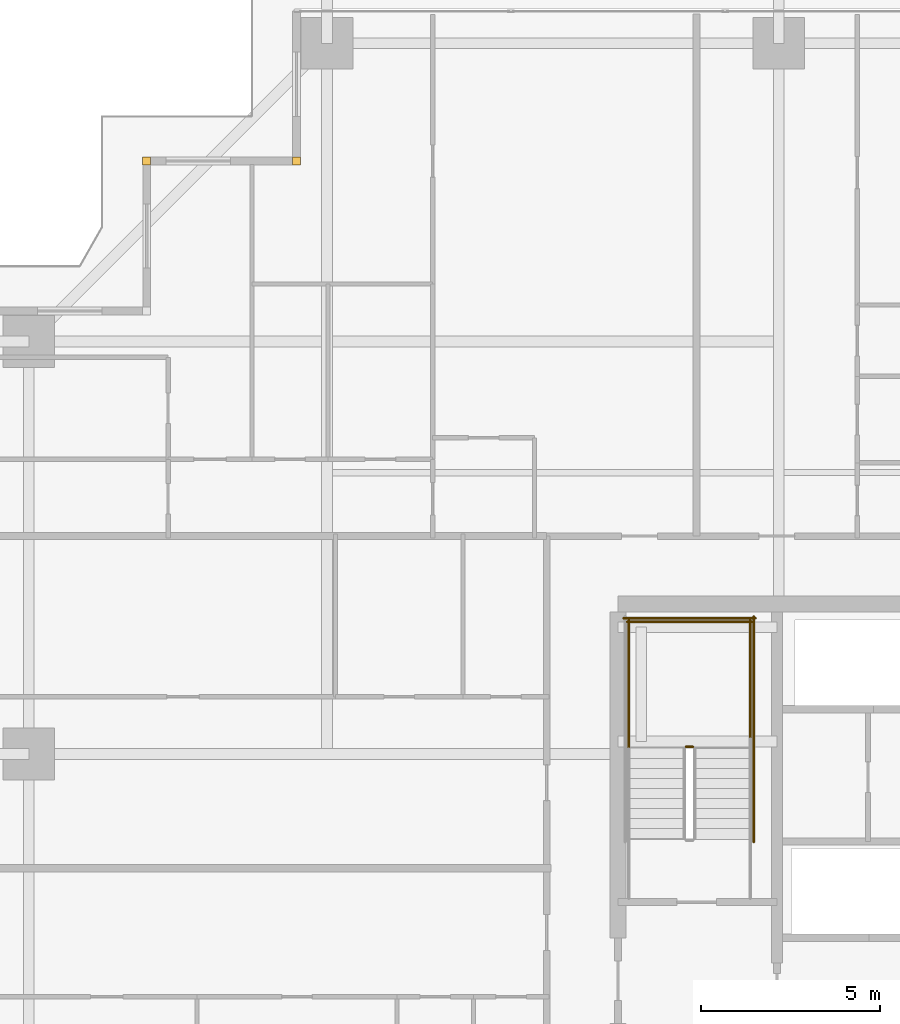
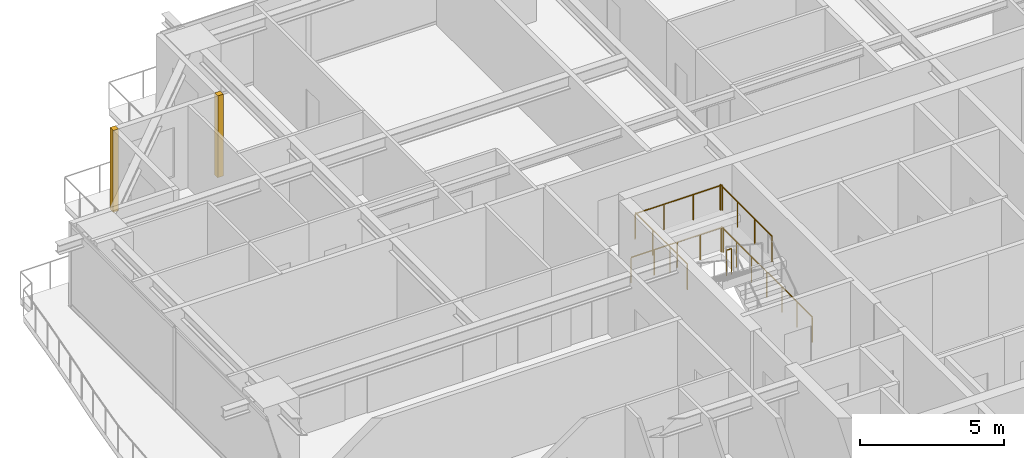
# One storey, part 38 of 39: 6 railings, 2 coverings.
"""IFC4 building model written with IfcOpenShell, lengths in metres."""

import ifcopenshell
import ifcopenshell.guid

model = None  # the IFC model being written
_history = None  # IfcOwnerHistory: only IFC2X3 demands one
_inside = {}  # id of a spatial element -> (the spatial element, [elements in it])
_under = {}  # id of a project, library or spatial element -> (it, [spatial elements below it])
_declared = {}  # id of a project -> (the project, [libraries it declares])
_typed = {}  # id of a type object -> (the type object, [elements of that type])
_made_of = {}  # id of a material, layer set ... -> (it, [elements and type objects made of it])


def new_model(schema):
    """Start an empty IFC model of exactly this schema.

    Asked for "IFC4X3", IfcOpenShell would pick the latest addendum, in which some entities
    have other attributes; the version numbers below select the first issue.
    IFC2X3 requires an IfcOwnerHistory on every rooted entity: one is made here for all.
    """
    global model, _history
    if schema == "IFC4X3":
        model = ifcopenshell.file(schema_version=(4, 3, 0, 0))
    else:
        model = ifcopenshell.file(schema=schema)
    _inside.clear()
    _under.clear()
    _declared.clear()
    _typed.clear()
    _made_of.clear()
    _history = None
    if model.schema == "IFC2X3":
        org = make("IfcOrganization", Name="unknown")
        user = make(
            "IfcPersonAndOrganization",
            ThePerson=make("IfcPerson", FamilyName="unknown"),
            TheOrganization=org,
        )
        app = make(
            "IfcApplication",
            ApplicationDeveloper=org,
            Version="unknown",
            ApplicationFullName="unknown",
            ApplicationIdentifier="unknown",
        )
        _history = make(
            "IfcOwnerHistory",
            OwningUser=user,
            OwningApplication=app,
            ChangeAction="ADDED",
            CreationDate=0,
        )
    return model


def make(cls, **values):
    """One entity of the class cls with the attributes given. An attribute that is None is left unset."""
    return model.create_entity(
        cls, **{name: value for name, value in values.items() if value is not None}
    )


def rooted(cls, **values):
    """An entity with a GlobalId (a new one), such as an element, a storey or a relation."""
    return make(cls, GlobalId=ifcopenshell.guid.new(), OwnerHistory=_history, **values)


def si_unit(unit_type, name, prefix=None):
    """IfcSIUnit, for example si_unit("LENGTHUNIT", "METRE", prefix="MILLI")."""
    return make("IfcSIUnit", UnitType=unit_type, Prefix=prefix, Name=name)


def assignment(units):
    """IfcUnitAssignment: the units of a project."""
    return None if units is None else make("IfcUnitAssignment", Units=units)


def point(xyz):
    """IfcCartesianPoint."""
    return None if xyz is None else make("IfcCartesianPoint", Coordinates=xyz)


def direction(xyz):
    """IfcDirection."""
    return None if xyz is None else make("IfcDirection", DirectionRatios=xyz)


def frame(location, z_axis=None, x_axis=None):
    """IfcAxis2Placement3D, a coordinate frame: its origin and axes. An axis left out is left unset."""
    return make(
        "IfcAxis2Placement3D",
        Location=point(location),
        Axis=direction(z_axis),
        RefDirection=direction(x_axis),
    )


def frame_2d(location, x_axis=None):
    """IfcAxis2Placement2D, a coordinate frame in the plane: its origin and x axis."""
    return make(
        "IfcAxis2Placement2D", Location=point(location), RefDirection=direction(x_axis)
    )


def origin():
    """The frame at (0, 0, 0) with its axes left unset."""
    return frame((0.0, 0.0, 0.0))


def origin_2d():
    """The frame at (0, 0) in the plane with its x axis left unset."""
    return frame_2d((0.0, 0.0))


def place(relative_to, where):
    """IfcLocalPlacement: puts the frame where relative to a parent placement (None: the world)."""
    return make(
        "IfcLocalPlacement", PlacementRelTo=relative_to, RelativePlacement=where
    )


def context(
    kind, dimensions, precision=None, world=None, true_north=None, identifier=None
):
    """IfcGeometricRepresentationContext, for example the 3D "Model" context."""
    return make(
        "IfcGeometricRepresentationContext",
        ContextIdentifier=identifier,
        ContextType=kind,
        CoordinateSpaceDimension=dimensions,
        Precision=precision,
        WorldCoordinateSystem=world,
        TrueNorth=true_north,
    )


def subcontext(parent, identifier, kind, view, scale=None):
    """IfcGeometricRepresentationSubContext, for example "Body" below "Model"."""
    return make(
        "IfcGeometricRepresentationSubContext",
        ContextIdentifier=identifier,
        ContextType=kind,
        ParentContext=parent,
        TargetScale=scale,
        TargetView=view,
    )


def project(units=None, contexts=None):
    """IfcProject with its units and contexts."""
    return rooted(
        "IfcProject",
        Name="project",
        RepresentationContexts=contexts,
        UnitsInContext=assignment(units),
    )


def spatial(cls, under=None, at=None, **own):
    """A site, building, storey or space (cls), placed at a placement, below another one or the project."""
    s = rooted(cls, ObjectPlacement=at, **own)
    if under is not None:
        _under.setdefault(under.id(), (under, []))[1].append(s)
    return s


def profile(cls, at=None, kind="AREA", **sizes):
    """A parametric profile (cls). Its sizes go by their IFC names, for example OverallWidth=200.0."""
    return make(cls, ProfileType=kind, Position=at, **sizes)


def rectangle(**sizes):
    """IfcRectangleProfileDef."""
    return profile("IfcRectangleProfileDef", **sizes)


def circle(**sizes):
    """IfcCircleProfileDef."""
    return profile("IfcCircleProfileDef", **sizes)


def extrude(swept, where, along, depth):
    """IfcExtrudedAreaSolid: the profile swept, set in the frame where, extruded along a direction by depth."""
    return make(
        "IfcExtrudedAreaSolid",
        SweptArea=swept,
        Position=where,
        ExtrudedDirection=direction(along),
        Depth=depth,
    )


def shape(context_of_items, identifier, shape_type, items):
    """IfcShapeRepresentation: the items that make up one representation, for example the "Body"."""
    return make(
        "IfcShapeRepresentation",
        ContextOfItems=context_of_items,
        RepresentationIdentifier=identifier,
        RepresentationType=shape_type,
        Items=items,
    )


def source(mapping_origin, context_of_items, identifier, shape_type, items):
    """IfcRepresentationMap: a shape defined once, which mapped items show again and again."""
    return make(
        "IfcRepresentationMap",
        MappingOrigin=mapping_origin,
        MappedRepresentation=shape(context_of_items, identifier, shape_type, items),
    )


def transform(
    local_origin,
    x_axis=None,
    y_axis=None,
    z_axis=None,
    scale=None,
    scale2=None,
    scale3=None,
    uniform=True,
):
    """IfcCartesianTransformationOperator3D, or its non-uniform kind. x_axis, y_axis, z_axis: its Axis1, 2, 3."""
    if uniform:
        return make(
            "IfcCartesianTransformationOperator3D",
            Axis1=direction(x_axis),
            Axis2=direction(y_axis),
            LocalOrigin=point(local_origin),
            Scale=scale,
            Axis3=direction(z_axis),
        )
    return make(
        "IfcCartesianTransformationOperator3DnonUniform",
        Axis1=direction(x_axis),
        Axis2=direction(y_axis),
        LocalOrigin=point(local_origin),
        Scale=scale,
        Axis3=direction(z_axis),
        Scale2=scale2,
        Scale3=scale3,
    )


def mapped(mapping_source, mapping_target):
    """IfcMappedItem: shows the shape of a source again, moved by a transform."""
    return make(
        "IfcMappedItem", MappingSource=mapping_source, MappingTarget=mapping_target
    )


def material(Name=None, Category=None):
    """IfcMaterial."""
    return make("IfcMaterial", Name=Name, Category=Category)


def layer(
    of_material, thickness, ventilated=None, Name=None, Category=None, Priority=None
):
    """IfcMaterialLayer: one layer of a wall or slab, of a material (None: an air gap)."""
    return make(
        "IfcMaterialLayer",
        Material=of_material,
        LayerThickness=thickness,
        IsVentilated=ventilated,
        Name=Name,
        Category=Category,
        Priority=Priority,
    )


def layer_set(layers, Name=None):
    """IfcMaterialLayerSet."""
    return make("IfcMaterialLayerSet", MaterialLayers=layers, LayerSetName=Name)


def made_of(thing, what):
    """Note that an element or type object is made of a material, layer set ...; save() writes the relation."""
    if what is not None:
        _made_of.setdefault(what.id(), (what, []))[1].append(thing)
    return thing


def type_object(cls, material=None, **own):
    """A type object (cls), such as IfcWallType, which elements share."""
    return made_of(rooted(cls, **own), material)


def element(
    cls,
    number,
    at=None,
    inside=None,
    cuts=None,
    type_object=None,
    material=None,
    context=None,
    identifier="Body",
    shape_type=None,
    held_by="IfcProductDefinitionShape",
    body=None,
    shapes=None,
    **own,
):
    """One element of the class cls, such as IfcWall. Its Tag is "e" and its number.

    at: its placement. inside: the storey or other place that contains it. cuts: it is an
    opening in that element (IfcRelVoidsElement). A single representation is given by context,
    identifier, shape_type and body (its items); several are given by shapes. held_by: the class
    of the entity that holds the representations. save() writes the other relations.
    """
    e = rooted(cls, Tag="e%d" % number, ObjectPlacement=at, **own)
    if body is not None:
        shapes = [shape(context, identifier, shape_type, body)]
    if shapes is not None:
        e.Representation = make(held_by, Representations=shapes)
    if inside is not None:
        _inside.setdefault(inside.id(), (inside, []))[1].append(e)
    if cuts is not None:
        rooted(
            "IfcRelVoidsElement", RelatingBuildingElement=cuts, RelatedOpeningElement=e
        )
    if type_object is not None:
        _typed.setdefault(type_object.id(), (type_object, []))[1].append(e)
    return made_of(e, material)


def aggregate(whole, parts):
    """IfcRelAggregates: a whole, such as a stair, and the parts it consists of."""
    return rooted("IfcRelAggregates", RelatingObject=whole, RelatedObjects=parts)


def save(model, path):
    """Write the relations noted so far, then the file.

    IfcRelAggregates (storeys below a building ...), IfcRelContainedInSpatialStructure (elements
    in a storey), IfcRelDefinesByType, IfcRelAssociatesMaterial and IfcRelDeclares: one each for
    every whole, place, type object, material and project.
    """
    for whole, parts in _under.values():
        aggregate(whole, parts)
    for where, things in _inside.values():
        rooted(
            "IfcRelContainedInSpatialStructure",
            RelatedElements=things,
            RelatingStructure=where,
        )
    for kind, things in _typed.values():
        rooted("IfcRelDefinesByType", RelatedObjects=things, RelatingType=kind)
    for what, things in _made_of.values():
        rooted("IfcRelAssociatesMaterial", RelatedObjects=things, RelatingMaterial=what)
    for by, libraries in _declared.values():
        rooted("IfcRelDeclares", RelatingContext=by, RelatedDefinitions=libraries)
    model.write(path)


model = new_model("IFC4")

# Units and contexts
model_context = context("Model", 3, precision=1e-05, world=origin(), true_north=direction((0.0, 1.0)))
body_context = subcontext(model_context, "Body", "Model", "MODEL_VIEW")
ifc_project = project(units=[si_unit("LENGTHUNIT", "METRE"), si_unit("AREAUNIT", "SQUARE_METRE"), si_unit("VOLUMEUNIT", "CUBIC_METRE"), si_unit("PLANEANGLEUNIT", "RADIAN"), si_unit("MASSUNIT", "GRAM", prefix="KILO")], contexts=[model_context])

# Site, building, storey
site_placement = place(None, origin())
site = spatial("IfcSite", under=ifc_project, at=site_placement, CompositionType="ELEMENT")
building_placement = place(site_placement, origin())
building = spatial("IfcBuilding", under=site, at=building_placement, Name="Serunith Strait Residences", CompositionType="ELEMENT")
storey_placement = place(building_placement, frame((0.0, 0.0, 60.449951171875)))
storey = spatial("IfcBuildingStorey", under=building, at=storey_placement, Name="L14", CompositionType="ELEMENT", Elevation=60.449951171875)

# Railings
ifc_material_1 = material(Name="Brushed stainless steel 316L", Category="steel")
railing_type = type_object("IfcRailingType", Name="RLG-STAIR-GUARD", PredefinedType="BALUSTRADE", material=ifc_material_1)
railing_1_placement = place(storey_placement, frame((25.5, 29.60009765625, 1.875)))
element("IfcRailing", 1, at=railing_1_placement, inside=storey, type_object=railing_type, Name="L14 ST-1 stair guard 2", PredefinedType="BALUSTRADE", context=body_context, shape_type="SweptSolid", body=[
    extrude(circle(Radius=0.02392578125, at=origin_2d()), frame((-0.001953125, 0.0, 1.076171875), z_axis=(-1.0, 0.0, 0.0), x_axis=(0.0, -1.0, 0.0)), (0.0, 0.0, 1.0), 0.196044921875),
    extrude(circle(Radius=0.02099609375, at=origin_2d()), origin(), (0.0, 0.0, 1.0), 1.050048828125),
    extrude(circle(Radius=0.02099609375, at=origin_2d()), frame((-0.199951171875, 0.0, 0.0)), (0.0, 0.0, 1.0), 1.050048828125),
])
for number, where, name in (
    (2, (27.10009765625, 29.550048828125, 1.875), "L14 ST-1 stair guard 3"),
    (3, (23.699951171875, 29.550048828125, 1.875), "L14 ST-1 stair guard 4"),
):
    element("IfcRailing", number, at=place(storey_placement, frame(where)), inside=storey, type_object=railing_type, Name=name, PredefinedType="BALUSTRADE", context=body_context, shape_type="SweptSolid", body=[
        extrude(circle(Radius=0.02392578125, at=origin_2d()), frame((0.0, 0.001953125, 1.076171875), z_axis=(0.0, 1.0, 0.0), x_axis=(-1.0, 0.0, 0.0)), (0.0, 0.0, 1.0), 3.595947265625),
        extrude(circle(Radius=0.02099609375, at=origin_2d()), origin(), (0.0, 0.0, 1.0), 1.050048828125),
        extrude(circle(Radius=0.02099609375, at=origin_2d()), frame((0.0, 1.199951171875, 0.0)), (0.0, 0.0, 1.0), 1.050048828125),
        extrude(circle(Radius=0.02099609375, at=origin_2d()), frame((0.0, 2.39990234375, 0.0)), (0.0, 0.0, 1.0), 1.050048828125),
        extrude(circle(Radius=0.02099609375, at=origin_2d()), frame((0.0, 3.599853515625, 0.0)), (0.0, 0.0, 1.0), 1.050048828125),
    ])
railing_2_placement = place(storey_placement, frame((27.14990234375, 33.10009765625, 1.875)))
element("IfcRailing", 4, at=railing_2_placement, inside=storey, type_object=railing_type, Name="L14 ST-1 stair guard 5", PredefinedType="BALUSTRADE", context=body_context, shape_type="SweptSolid", body=[
    extrude(circle(Radius=0.02392578125, at=origin_2d()), frame((-0.001953125, 0.0, 1.076171875), z_axis=(-1.0, 0.0, 0.0), x_axis=(0.0, -1.0, 0.0)), (0.0, 0.0, 1.0), 3.49609375),
    extrude(circle(Radius=0.02099609375, at=origin_2d()), origin(), (0.0, 0.0, 1.0), 1.050048828125),
    extrude(circle(Radius=0.02099609375, at=origin_2d()), frame((-1.166748046875, 0.0, 0.0)), (0.0, 0.0, 1.0), 1.050048828125),
    extrude(circle(Radius=0.02099609375, at=origin_2d()), frame((-2.333251953125, 0.0, 0.0)), (0.0, 0.0, 1.0), 1.050048828125),
    extrude(circle(Radius=0.02099609375, at=origin_2d()), frame((-3.5, 0.0, 0.0)), (0.0, 0.0, 1.0), 1.050048828125),
])
railing_3_placement = place(storey_placement, frame((27.199951171875, 26.929931640625, 0.0)))
element("IfcRailing", 5, at=railing_3_placement, inside=storey, type_object=railing_type, Name="L14 ST-1 stair guard 10", PredefinedType="BALUSTRADE", context=body_context, shape_type="SweptSolid", body=[
    extrude(circle(Radius=0.02392578125, at=origin_2d()), frame((0.0, 0.001953125, 1.076171875), z_axis=(0.0, 1.0, 0.0), x_axis=(-1.0, 0.0, 0.0)), (0.0, 0.0, 1.0), 6.316162109375),
    extrude(circle(Radius=0.02099609375, at=origin_2d()), origin(), (0.0, 0.0, 1.0), 1.050048828125),
    extrude(circle(Radius=0.02099609375, at=origin_2d()), frame((0.0, 1.05322265625, 0.0)), (0.0, 0.0, 1.0), 1.050048828125),
    extrude(circle(Radius=0.02099609375, at=origin_2d()), frame((0.0, 2.106689453125, 0.0)), (0.0, 0.0, 1.0), 1.050048828125),
    extrude(circle(Radius=0.02099609375, at=origin_2d()), frame((0.0, 3.16015625, 0.0)), (0.0, 0.0, 1.0), 1.050048828125),
    extrude(circle(Radius=0.02099609375, at=origin_2d()), frame((0.0, 4.21337890625, 0.0)), (0.0, 0.0, 1.0), 1.050048828125),
    extrude(circle(Radius=0.02099609375, at=origin_2d()), frame((0.0, 5.2666015625, 0.0)), (0.0, 0.0, 1.0), 1.050048828125),
    extrude(circle(Radius=0.02099609375, at=origin_2d()), frame((0.0, 6.320068359375, 0.0)), (0.0, 0.0, 1.0), 1.050048828125),
])
railing_4_placement = place(storey_placement, frame((27.25, 33.199951171875, 0.0)))
element("IfcRailing", 6, at=railing_4_placement, inside=storey, type_object=railing_type, Name="L14 ST-1 stair guard 12", PredefinedType="BALUSTRADE", context=body_context, shape_type="SweptSolid", body=[
    extrude(circle(Radius=0.02392578125, at=origin_2d()), frame((-0.001953125, 0.0, 1.076171875), z_axis=(-1.0, 0.0, 0.0), x_axis=(0.0, -1.0, 0.0)), (0.0, 0.0, 1.0), 3.696044921875),
    extrude(circle(Radius=0.02099609375, at=origin_2d()), origin(), (0.0, 0.0, 1.0), 1.050048828125),
    extrude(circle(Radius=0.02099609375, at=origin_2d()), frame((-0.925048828125, 0.0, 0.0)), (0.0, 0.0, 1.0), 1.050048828125),
    extrude(circle(Radius=0.02099609375, at=origin_2d()), frame((-1.85009765625, 0.0, 0.0)), (0.0, 0.0, 1.0), 1.050048828125),
    extrude(circle(Radius=0.02099609375, at=origin_2d()), frame((-2.77490234375, 0.0, 0.0)), (0.0, 0.0, 1.0), 1.050048828125),
    extrude(circle(Radius=0.02099609375, at=origin_2d()), frame((-3.699951171875, 0.0, 0.0)), (0.0, 0.0, 1.0), 1.050048828125),
])

# Coverings
ifc_material_2 = material(Name="Pale-Champagne Anodised Aluminium", Category="aluminium")
ifc_layer = layer(ifc_material_2, 0.219970703125, Name="Pale-Champagne Anodised Aluminium")
ifc_layer_set = layer_set([ifc_layer], Name="Pale-Champagne Anodised Aluminium")
covering_type = type_object("IfcCoveringType", Name="COV-CORN-TRIM", PredefinedType="CLADDING", material=ifc_layer_set)
shared_shape = source(origin(), body_context, "Body", "SweptSolid", [
    extrude(rectangle(XDim=0.221923828125, YDim=0.221923828125, at=origin_2d()), origin(), (0.0, 0.0, 1.0), 3.47509765625),
])
for number, where, z_axis, x_axis, name in (
    (7, (14.39990234375, 46.0, 0.0), (0.0, 0.0, 1.0), (1.0, 0.0, 0.0), "L14 Girih Serrated Corner Trim Post 12"),
    (8, (10.199951171875, 46.0, 0.0), (0.0, 0.0, 1.0), (1.0, 0.0, 0.0), "L14 Girih Serrated Corner Trim Post 13"),
):
    element("IfcCovering", number, at=place(storey_placement, frame(where, z_axis=z_axis, x_axis=x_axis)), inside=storey, type_object=covering_type, Name=name, PredefinedType="CLADDING", context=body_context, shape_type="MappedRepresentation", body=[
        mapped(shared_shape, transform((0.0, 0.0, 0.0), scale=1.0)),
    ])

save(model, "model.ifc")
